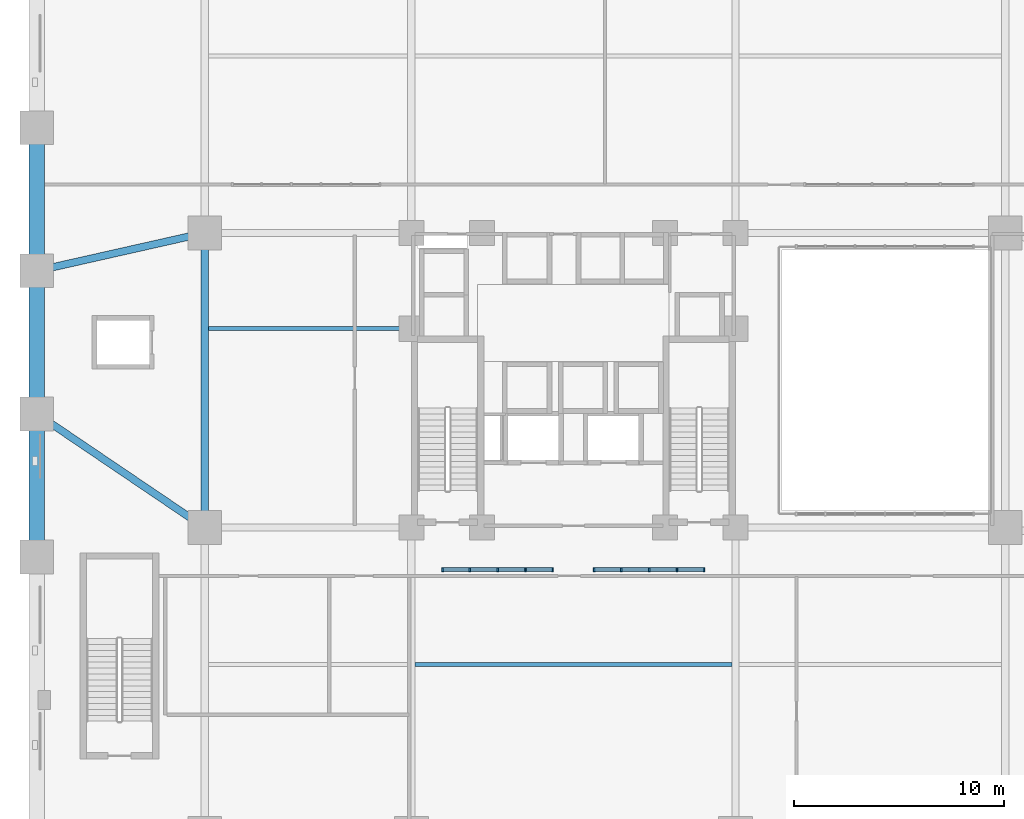
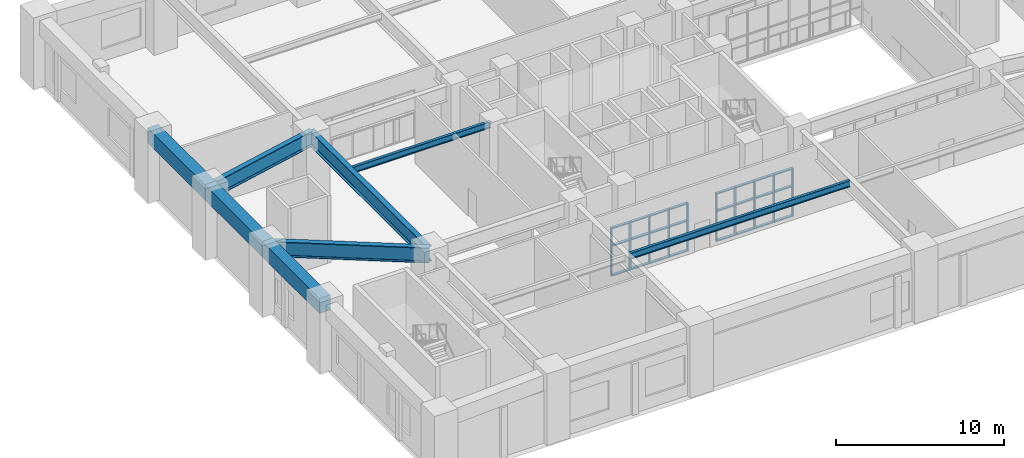
# One storey, part 2 of 14: 34 members, 8 beams, 2 elements without a shape of their own.
"""IFC4 building model written with IfcOpenShell, lengths in metres."""

from ifc_helpers import new_model, si_unit, derived_unit, direction, frame, origin, origin_2d, place, context, subcontext, project, spatial, rectangle, i_section, extrude, material, material_profile, profile_set, type_object, element, aggregate, save


model = new_model("IFC4")

# Units and contexts
model_context = context("Model", 3, precision=1e-05, world=origin(), true_north=direction((0.0, 1.0)))
body_context = subcontext(model_context, "Body", "Model", "MODEL_VIEW")
ifc_project = project(units=[si_unit("LENGTHUNIT", "METRE"), si_unit("AREAUNIT", "SQUARE_METRE"), si_unit("VOLUMEUNIT", "CUBIC_METRE"), si_unit("PLANEANGLEUNIT", "RADIAN"), si_unit("MASSUNIT", "GRAM", prefix="KILO"), derived_unit("THERMALTRANSMITTANCEUNIT", [(si_unit("MASSUNIT", "GRAM", prefix="KILO"), 1), (si_unit("TIMEUNIT", "SECOND"), -3), (si_unit("THERMODYNAMICTEMPERATUREUNIT", "KELVIN"), -1)])], contexts=[model_context])

# Site, building, storey
site_placement = place(None, origin())
site = spatial("IfcSite", under=ifc_project, at=site_placement, CompositionType="ELEMENT")
building_placement = place(site_placement, origin())
building = spatial("IfcBuilding", under=site, at=building_placement, Name="Korrvale Station Residences", CompositionType="ELEMENT")
storey_placement = place(building_placement, frame((0.0, 0.0, 6.0)))
storey = spatial("IfcBuildingStorey", under=building, at=storey_placement, Name="L01", CompositionType="ELEMENT", Elevation=6.0)

# Beams
ifc_material_1 = material(Name="Steel S355", Category="steel")
ifc_material_profile_1 = material_profile(ifc_material_1, i_section(OverallWidth=0.35009765625, OverallDepth=1.10009765625, WebThickness=0.01611328125, FlangeThickness=0.034912109375, FilletRadius=0.01806640625, at=origin_2d()), Name="WWF1100x351")
ifc_profile_set_1 = profile_set([ifc_material_profile_1], Name="Steel S355")
beam_type_1 = type_object("IfcBeamType", Name="BM-BM-WWF1100x351-S355", PredefinedType="BEAM", material=ifc_profile_set_1)
beam_1_placement = place(storey_placement, frame((7.97998046875, 15.0, 4.330078125), z_axis=(0.0, 1.0, 0.0), x_axis=(-1.0, 0.0, 0.0)))
element("IfcBeam", 1, at=beam_1_placement, inside=storey, type_object=beam_type_1, Name="L01 Station Primary Girder 02", PredefinedType="BEAM", context=body_context, shape_type="SweptSolid", body=[
    extrude(i_section(OverallWidth=0.35009765625, OverallDepth=1.10009765625, WebThickness=0.01611328125, FlangeThickness=0.034912109375, FilletRadius=0.01806640625, at=origin_2d()), origin(), (0.0, 0.0, 1.0), 14.0),
])
beam_2_placement = place(storey_placement, frame((0.0, 20.39990234375, 4.330078125), z_axis=(0.828202472812, -0.560428999989, 0.0), x_axis=(0.560428999989, 0.828202472812, 0.0)))
element("IfcBeam", 2, at=beam_2_placement, inside=storey, type_object=beam_type_1, Name="L01 Station Primary Girder 11", PredefinedType="BEAM", context=body_context, shape_type="SweptSolid", body=[
    extrude(i_section(OverallWidth=0.35009765625, OverallDepth=1.10009765625, WebThickness=0.01611328125, FlangeThickness=0.034912109375, FilletRadius=0.01806640625, at=origin_2d()), origin(), (0.0, 0.0, 1.0), 9.63525390625),
])
beam_3_placement = place(storey_placement, frame((0.0, 27.199951171875, 4.330078125), z_axis=(0.975490412643, 0.220041938824, 0.0), x_axis=(-0.220041938824, 0.975490412643, 0.0)))
element("IfcBeam", 3, at=beam_3_placement, inside=storey, type_object=beam_type_1, Name="L01 Station Primary Girder 12", PredefinedType="BEAM", context=body_context, shape_type="SweptSolid", body=[
    extrude(i_section(OverallWidth=0.35009765625, OverallDepth=1.10009765625, WebThickness=0.01611328125, FlangeThickness=0.034912109375, FilletRadius=0.01806640625, at=origin_2d()), origin(), (0.0, 0.0, 1.0), 8.180419921875),
])
ifc_material_profile_2 = material_profile(ifc_material_1, i_section(OverallWidth=0.18994140625, OverallDepth=0.45703125, WebThickness=0.009033203125, FlangeThickness=0.014404296875, FilletRadius=0.01611328125, at=origin_2d()), Name="W460x74")
ifc_profile_set_2 = profile_set([ifc_material_profile_2], Name="Steel S355")
beam_type_2 = type_object("IfcBeamType", Name="BM-JST-W460x74-S355", PredefinedType="JOIST", material=ifc_profile_set_2)
beam_4_placement = place(storey_placement, frame((8.155029296875, 24.449951171875, 4.651611328125), z_axis=(1.0, 0.0, 0.0), x_axis=(0.0, 1.0, 0.0)))
element("IfcBeam", 4, at=beam_4_placement, inside=storey, type_object=beam_type_2, Name="L01 Station Floor Joist 04", PredefinedType="JOIST", context=body_context, shape_type="SweptSolid", body=[
    extrude(i_section(OverallWidth=0.18994140625, OverallDepth=0.45703125, WebThickness=0.009033203125, FlangeThickness=0.014404296875, FilletRadius=0.01611328125, at=origin_2d()), origin(), (0.0, 0.0, 1.0), 9.469970703125),
])
beam_5_placement = place(storey_placement, frame((17.97509765625, 8.5, 4.651611328125), z_axis=(1.0, 0.0, 0.0), x_axis=(0.0, 1.0, 0.0)))
element("IfcBeam", 5, at=beam_5_placement, inside=storey, type_object=beam_type_2, Name="L01 Station Floor Joist 06", PredefinedType="JOIST", context=body_context, shape_type="SweptSolid", body=[
    extrude(i_section(OverallWidth=0.18994140625, OverallDepth=0.45703125, WebThickness=0.009033203125, FlangeThickness=0.014404296875, FilletRadius=0.01611328125, at=origin_2d()), origin(), (0.0, 0.0, 1.0), 15.0498046875),
])
ifc_material_2 = material(Name="Concrete C70/85", Category="concrete")
ifc_material_profile_3 = material_profile(ifc_material_2, rectangle(XDim=0.75, YDim=1.10009765625, at=origin_2d()), Name="RCB750x1100")
ifc_profile_set_3 = profile_set([ifc_material_profile_3], Name="Concrete C70/85")
beam_type_3 = type_object("IfcBeamType", Name="BM-SPB-RCB750x1100-C7085", PredefinedType="SPANDREL", material=ifc_profile_set_3)
beam_6_placement = place(storey_placement, frame((0.0, 13.60009765625, 4.330078125), z_axis=(0.0, 1.0, 0.0), x_axis=(-1.0, 0.0, 0.0)))
element("IfcBeam", 6, at=beam_6_placement, inside=storey, type_object=beam_type_3, Name="L01 Station Spandrel Beam 02", PredefinedType="SPANDREL", context=body_context, shape_type="SweptSolid", body=[
    extrude(rectangle(XDim=0.75, YDim=1.10009765625, at=origin_2d()), origin(), (0.0, 0.0, 1.0), 6.7998046875),
])
for number, where, z_axis, x_axis, name in (
    (7, (0.0, 20.39990234375, 4.330078125), (0.0, 1.0, 0.0), (-1.0, 0.0, 0.0), "L01 Station Spandrel Beam 03"),
    (8, (0.0, 27.199951171875, 4.330078125), (0.0, 1.0, 0.0), (-1.0, 0.0, 0.0), "L01 Station Spandrel Beam 04"),
):
    element("IfcBeam", number, at=place(storey_placement, frame(where, z_axis=z_axis, x_axis=x_axis)), inside=storey, type_object=beam_type_3, Name=name, PredefinedType="SPANDREL", context=body_context, shape_type="SweptSolid", body=[
        extrude(rectangle(XDim=0.75, YDim=1.10009765625, at=origin_2d()), origin(), (0.0, 0.0, 1.0), 6.800048828125),
    ])

# Curtain wall, members
ifc_material_3 = material(Name="Unitised thermally broken aluminium curtain wall with triple low-e IGU", Category="aluminium")
curtain_wall_type = type_object("IfcCurtainWallType", Name="CW-STN-ENT", PredefinedType="NOTDEFINED", material=ifc_material_3)
curtain_wall_1_placement = place(storey_placement, origin())
curtain_wall_1 = element("IfcCurtainWall", 9, at=curtain_wall_1_placement, inside=storey, type_object=curtain_wall_type, Name="L01 Curtain Wall CW1-RUN-5", PredefinedType="NOTDEFINED")
ifc_material_4 = material(Name="Extruded thermally broken aluminium mullion", Category="aluminium")
member_type_1 = type_object("IfcMemberType", Name="CW-STN-ENT-M", PredefinedType="MULLION", material=ifc_material_4)
member_1_placement = place(storey_placement, frame((19.29248046875, 13.0, 0.0), z_axis=(0.0, 0.0, 1.0), x_axis=(1.0, 0.0, 0.0)))
member_1 = element("IfcMember", 10, at=member_1_placement, type_object=member_type_1, Name="CW-STN-ENT Mullion 1", PredefinedType="MULLION", context=body_context, shape_type="SweptSolid", body=[
    extrude(rectangle(XDim=0.0849609375, YDim=0.179931640625, at=origin_2d()), origin(), (0.0, 0.0, 1.0), 3.5),
])
member_2_placement = place(storey_placement, frame((20.574951171875, 13.0, 0.0), z_axis=(0.0, 0.0, 1.0), x_axis=(1.0, 0.0, 0.0)))
member_2 = element("IfcMember", 11, at=member_2_placement, type_object=member_type_1, Name="CW-STN-ENT Mullion 2", PredefinedType="MULLION", context=body_context, shape_type="SweptSolid", body=[
    extrude(rectangle(XDim=0.0849609375, YDim=0.179931640625, at=origin_2d()), origin(), (0.0, 0.0, 1.0), 3.5),
])
member_3_placement = place(storey_placement, frame((21.89990234375, 13.0, 0.0), z_axis=(0.0, 0.0, 1.0), x_axis=(1.0, 0.0, 0.0)))
member_3 = element("IfcMember", 12, at=member_3_placement, type_object=member_type_1, Name="CW-STN-ENT Mullion 3", PredefinedType="MULLION", context=body_context, shape_type="SweptSolid", body=[
    extrude(rectangle(XDim=0.0849609375, YDim=0.179931640625, at=origin_2d()), origin(), (0.0, 0.0, 1.0), 3.5),
])
member_4_placement = place(storey_placement, frame((23.22509765625, 13.0, 0.0), z_axis=(0.0, 0.0, 1.0), x_axis=(1.0, 0.0, 0.0)))
member_4 = element("IfcMember", 13, at=member_4_placement, type_object=member_type_1, Name="CW-STN-ENT Mullion 4", PredefinedType="MULLION", context=body_context, shape_type="SweptSolid", body=[
    extrude(rectangle(XDim=0.0849609375, YDim=0.179931640625, at=origin_2d()), origin(), (0.0, 0.0, 1.0), 3.5),
])
member_5_placement = place(storey_placement, frame((24.507568359375, 13.0, 0.0), z_axis=(0.0, 0.0, 1.0), x_axis=(1.0, 0.0, 0.0)))
member_5 = element("IfcMember", 14, at=member_5_placement, type_object=member_type_1, Name="CW-STN-ENT Mullion 5", PredefinedType="MULLION", context=body_context, shape_type="SweptSolid", body=[
    extrude(rectangle(XDim=0.0849609375, YDim=0.179931640625, at=origin_2d()), origin(), (0.0, 0.0, 1.0), 3.5),
])

curtain_wall_2_placement = place(storey_placement, origin())
curtain_wall_2 = element("IfcCurtainWall", 15, at=curtain_wall_2_placement, inside=storey, type_object=curtain_wall_type, Name="L01 Curtain Wall CW1-RUN-6", PredefinedType="NOTDEFINED")
member_6_placement = place(storey_placement, frame((26.492431640625, 13.0, 0.0), z_axis=(0.0, 0.0, 1.0), x_axis=(1.0, 0.0, 0.0)))
member_6 = element("IfcMember", 16, at=member_6_placement, type_object=member_type_1, Name="CW-STN-ENT Mullion 1", PredefinedType="MULLION", context=body_context, shape_type="SweptSolid", body=[
    extrude(rectangle(XDim=0.0849609375, YDim=0.179931640625, at=origin_2d()), origin(), (0.0, 0.0, 1.0), 3.5),
])
member_7_placement = place(storey_placement, frame((27.77490234375, 13.0, 0.0), z_axis=(0.0, 0.0, 1.0), x_axis=(1.0, 0.0, 0.0)))
member_7 = element("IfcMember", 17, at=member_7_placement, type_object=member_type_1, Name="CW-STN-ENT Mullion 2", PredefinedType="MULLION", context=body_context, shape_type="SweptSolid", body=[
    extrude(rectangle(XDim=0.0849609375, YDim=0.179931640625, at=origin_2d()), origin(), (0.0, 0.0, 1.0), 3.5),
])
member_8_placement = place(storey_placement, frame((29.10009765625, 13.0, 0.0), z_axis=(0.0, 0.0, 1.0), x_axis=(1.0, 0.0, 0.0)))
member_8 = element("IfcMember", 18, at=member_8_placement, type_object=member_type_1, Name="CW-STN-ENT Mullion 3", PredefinedType="MULLION", context=body_context, shape_type="SweptSolid", body=[
    extrude(rectangle(XDim=0.0849609375, YDim=0.179931640625, at=origin_2d()), origin(), (0.0, 0.0, 1.0), 3.5),
])
member_9_placement = place(storey_placement, frame((30.425048828125, 13.0, 0.0), z_axis=(0.0, 0.0, 1.0), x_axis=(1.0, 0.0, 0.0)))
member_9 = element("IfcMember", 19, at=member_9_placement, type_object=member_type_1, Name="CW-STN-ENT Mullion 4", PredefinedType="MULLION", context=body_context, shape_type="SweptSolid", body=[
    extrude(rectangle(XDim=0.0849609375, YDim=0.179931640625, at=origin_2d()), origin(), (0.0, 0.0, 1.0), 3.5),
])
member_10_placement = place(storey_placement, frame((31.70751953125, 13.0, 0.0), z_axis=(0.0, 0.0, 1.0), x_axis=(1.0, 0.0, 0.0)))
member_10 = element("IfcMember", 20, at=member_10_placement, type_object=member_type_1, Name="CW-STN-ENT Mullion 5", PredefinedType="MULLION", context=body_context, shape_type="SweptSolid", body=[
    extrude(rectangle(XDim=0.0849609375, YDim=0.179931640625, at=origin_2d()), origin(), (0.0, 0.0, 1.0), 3.5),
])

# Member
ifc_material_5 = material(Name="Extruded thermally broken aluminium transom", Category="aluminium")
member_type_2 = type_object("IfcMemberType", Name="CW-STN-ENT-T", PredefinedType="USERDEFINED", material=ifc_material_5)
member_11_placement = place(storey_placement, frame((19.91259765625, 13.0, 0.0), z_axis=(0.0, 0.0, 1.0), x_axis=(1.0, 0.0, 0.0)))
member_11 = element("IfcMember", 21, at=member_11_placement, type_object=member_type_2, Name="CW-STN-ENT Transom 1-1", ObjectType="TRANSOM", PredefinedType="USERDEFINED", context=body_context, shape_type="SweptSolid", body=[
    extrude(rectangle(XDim=1.239990234375, YDim=0.179931640625, at=origin_2d()), origin(), (0.0, 0.0, 1.0), 0.0849609375),
])

member_12_placement = place(storey_placement, frame((19.91259765625, 13.0, 2.157470703125), z_axis=(0.0, 0.0, 1.0), x_axis=(1.0, 0.0, 0.0)))
member_12 = element("IfcMember", 22, at=member_12_placement, type_object=member_type_2, Name="CW-STN-ENT Transom 1-2", ObjectType="TRANSOM", PredefinedType="USERDEFINED", context=body_context, shape_type="SweptSolid", body=[
    extrude(rectangle(XDim=1.239990234375, YDim=0.179931640625, at=origin_2d()), origin(), (0.0, 0.0, 1.0), 0.0849609375),
])

member_13_placement = place(storey_placement, frame((19.91259765625, 13.0, 3.4150390625), z_axis=(0.0, 0.0, 1.0), x_axis=(1.0, 0.0, 0.0)))
member_13 = element("IfcMember", 23, at=member_13_placement, type_object=member_type_2, Name="CW-STN-ENT Transom 1-3", ObjectType="TRANSOM", PredefinedType="USERDEFINED", context=body_context, shape_type="SweptSolid", body=[
    extrude(rectangle(XDim=1.239990234375, YDim=0.179931640625, at=origin_2d()), origin(), (0.0, 0.0, 1.0), 0.0849609375),
])

member_14_placement = place(storey_placement, frame((21.237548828125, 13.0, 0.0), z_axis=(0.0, 0.0, 1.0), x_axis=(1.0, 0.0, 0.0)))
member_14 = element("IfcMember", 24, at=member_14_placement, type_object=member_type_2, Name="CW-STN-ENT Transom 2-1", ObjectType="TRANSOM", PredefinedType="USERDEFINED", context=body_context, shape_type="SweptSolid", body=[
    extrude(rectangle(XDim=1.239990234375, YDim=0.179931640625, at=origin_2d()), origin(), (0.0, 0.0, 1.0), 0.0849609375),
])

member_15_placement = place(storey_placement, frame((21.237548828125, 13.0, 2.157470703125), z_axis=(0.0, 0.0, 1.0), x_axis=(1.0, 0.0, 0.0)))
member_15 = element("IfcMember", 25, at=member_15_placement, type_object=member_type_2, Name="CW-STN-ENT Transom 2-2", ObjectType="TRANSOM", PredefinedType="USERDEFINED", context=body_context, shape_type="SweptSolid", body=[
    extrude(rectangle(XDim=1.239990234375, YDim=0.179931640625, at=origin_2d()), origin(), (0.0, 0.0, 1.0), 0.0849609375),
])

member_16_placement = place(storey_placement, frame((21.237548828125, 13.0, 3.4150390625), z_axis=(0.0, 0.0, 1.0), x_axis=(1.0, 0.0, 0.0)))
member_16 = element("IfcMember", 26, at=member_16_placement, type_object=member_type_2, Name="CW-STN-ENT Transom 2-3", ObjectType="TRANSOM", PredefinedType="USERDEFINED", context=body_context, shape_type="SweptSolid", body=[
    extrude(rectangle(XDim=1.239990234375, YDim=0.179931640625, at=origin_2d()), origin(), (0.0, 0.0, 1.0), 0.0849609375),
])

member_17_placement = place(storey_placement, frame((22.5625, 13.0, 0.0), z_axis=(0.0, 0.0, 1.0), x_axis=(1.0, 0.0, 0.0)))
member_17 = element("IfcMember", 27, at=member_17_placement, type_object=member_type_2, Name="CW-STN-ENT Transom 3-1", ObjectType="TRANSOM", PredefinedType="USERDEFINED", context=body_context, shape_type="SweptSolid", body=[
    extrude(rectangle(XDim=1.239990234375, YDim=0.179931640625, at=origin_2d()), origin(), (0.0, 0.0, 1.0), 0.0849609375),
])

member_18_placement = place(storey_placement, frame((22.5625, 13.0, 2.157470703125), z_axis=(0.0, 0.0, 1.0), x_axis=(1.0, 0.0, 0.0)))
member_18 = element("IfcMember", 28, at=member_18_placement, type_object=member_type_2, Name="CW-STN-ENT Transom 3-2", ObjectType="TRANSOM", PredefinedType="USERDEFINED", context=body_context, shape_type="SweptSolid", body=[
    extrude(rectangle(XDim=1.239990234375, YDim=0.179931640625, at=origin_2d()), origin(), (0.0, 0.0, 1.0), 0.0849609375),
])

member_19_placement = place(storey_placement, frame((22.5625, 13.0, 3.4150390625), z_axis=(0.0, 0.0, 1.0), x_axis=(1.0, 0.0, 0.0)))
member_19 = element("IfcMember", 29, at=member_19_placement, type_object=member_type_2, Name="CW-STN-ENT Transom 3-3", ObjectType="TRANSOM", PredefinedType="USERDEFINED", context=body_context, shape_type="SweptSolid", body=[
    extrude(rectangle(XDim=1.239990234375, YDim=0.179931640625, at=origin_2d()), origin(), (0.0, 0.0, 1.0), 0.0849609375),
])

member_20_placement = place(storey_placement, frame((23.887451171875, 13.0, 0.0), z_axis=(0.0, 0.0, 1.0), x_axis=(1.0, 0.0, 0.0)))
member_20 = element("IfcMember", 30, at=member_20_placement, type_object=member_type_2, Name="CW-STN-ENT Transom 4-1", ObjectType="TRANSOM", PredefinedType="USERDEFINED", context=body_context, shape_type="SweptSolid", body=[
    extrude(rectangle(XDim=1.239990234375, YDim=0.179931640625, at=origin_2d()), origin(), (0.0, 0.0, 1.0), 0.0849609375),
])

member_21_placement = place(storey_placement, frame((23.887451171875, 13.0, 2.157470703125), z_axis=(0.0, 0.0, 1.0), x_axis=(1.0, 0.0, 0.0)))
member_21 = element("IfcMember", 31, at=member_21_placement, type_object=member_type_2, Name="CW-STN-ENT Transom 4-2", ObjectType="TRANSOM", PredefinedType="USERDEFINED", context=body_context, shape_type="SweptSolid", body=[
    extrude(rectangle(XDim=1.239990234375, YDim=0.179931640625, at=origin_2d()), origin(), (0.0, 0.0, 1.0), 0.0849609375),
])

member_22_placement = place(storey_placement, frame((23.887451171875, 13.0, 3.4150390625), z_axis=(0.0, 0.0, 1.0), x_axis=(1.0, 0.0, 0.0)))
member_22 = element("IfcMember", 32, at=member_22_placement, type_object=member_type_2, Name="CW-STN-ENT Transom 4-3", ObjectType="TRANSOM", PredefinedType="USERDEFINED", context=body_context, shape_type="SweptSolid", body=[
    extrude(rectangle(XDim=1.239990234375, YDim=0.179931640625, at=origin_2d()), origin(), (0.0, 0.0, 1.0), 0.0849609375),
])

aggregate(curtain_wall_1, [member_1, member_2, member_3, member_4, member_5, member_11, member_12, member_13, member_14, member_15, member_16, member_17, member_18, member_19, member_20, member_21, member_22])

member_23_placement = place(storey_placement, frame((27.112548828125, 13.0, 0.0), z_axis=(0.0, 0.0, 1.0), x_axis=(1.0, 0.0, 0.0)))
member_23 = element("IfcMember", 33, at=member_23_placement, type_object=member_type_2, Name="CW-STN-ENT Transom 1-1", ObjectType="TRANSOM", PredefinedType="USERDEFINED", context=body_context, shape_type="SweptSolid", body=[
    extrude(rectangle(XDim=1.239990234375, YDim=0.179931640625, at=origin_2d()), origin(), (0.0, 0.0, 1.0), 0.0849609375),
])

member_24_placement = place(storey_placement, frame((27.112548828125, 13.0, 2.157470703125), z_axis=(0.0, 0.0, 1.0), x_axis=(1.0, 0.0, 0.0)))
member_24 = element("IfcMember", 34, at=member_24_placement, type_object=member_type_2, Name="CW-STN-ENT Transom 1-2", ObjectType="TRANSOM", PredefinedType="USERDEFINED", context=body_context, shape_type="SweptSolid", body=[
    extrude(rectangle(XDim=1.239990234375, YDim=0.179931640625, at=origin_2d()), origin(), (0.0, 0.0, 1.0), 0.0849609375),
])

member_25_placement = place(storey_placement, frame((27.112548828125, 13.0, 3.4150390625), z_axis=(0.0, 0.0, 1.0), x_axis=(1.0, 0.0, 0.0)))
member_25 = element("IfcMember", 35, at=member_25_placement, type_object=member_type_2, Name="CW-STN-ENT Transom 1-3", ObjectType="TRANSOM", PredefinedType="USERDEFINED", context=body_context, shape_type="SweptSolid", body=[
    extrude(rectangle(XDim=1.239990234375, YDim=0.179931640625, at=origin_2d()), origin(), (0.0, 0.0, 1.0), 0.0849609375),
])

member_26_placement = place(storey_placement, frame((28.4375, 13.0, 0.0), z_axis=(0.0, 0.0, 1.0), x_axis=(1.0, 0.0, 0.0)))
member_26 = element("IfcMember", 36, at=member_26_placement, type_object=member_type_2, Name="CW-STN-ENT Transom 2-1", ObjectType="TRANSOM", PredefinedType="USERDEFINED", context=body_context, shape_type="SweptSolid", body=[
    extrude(rectangle(XDim=1.239990234375, YDim=0.179931640625, at=origin_2d()), origin(), (0.0, 0.0, 1.0), 0.0849609375),
])

member_27_placement = place(storey_placement, frame((28.4375, 13.0, 2.157470703125), z_axis=(0.0, 0.0, 1.0), x_axis=(1.0, 0.0, 0.0)))
member_27 = element("IfcMember", 37, at=member_27_placement, type_object=member_type_2, Name="CW-STN-ENT Transom 2-2", ObjectType="TRANSOM", PredefinedType="USERDEFINED", context=body_context, shape_type="SweptSolid", body=[
    extrude(rectangle(XDim=1.239990234375, YDim=0.179931640625, at=origin_2d()), origin(), (0.0, 0.0, 1.0), 0.0849609375),
])

member_28_placement = place(storey_placement, frame((28.4375, 13.0, 3.4150390625), z_axis=(0.0, 0.0, 1.0), x_axis=(1.0, 0.0, 0.0)))
member_28 = element("IfcMember", 38, at=member_28_placement, type_object=member_type_2, Name="CW-STN-ENT Transom 2-3", ObjectType="TRANSOM", PredefinedType="USERDEFINED", context=body_context, shape_type="SweptSolid", body=[
    extrude(rectangle(XDim=1.239990234375, YDim=0.179931640625, at=origin_2d()), origin(), (0.0, 0.0, 1.0), 0.0849609375),
])

member_29_placement = place(storey_placement, frame((29.762451171875, 13.0, 0.0), z_axis=(0.0, 0.0, 1.0), x_axis=(1.0, 0.0, 0.0)))
member_29 = element("IfcMember", 39, at=member_29_placement, type_object=member_type_2, Name="CW-STN-ENT Transom 3-1", ObjectType="TRANSOM", PredefinedType="USERDEFINED", context=body_context, shape_type="SweptSolid", body=[
    extrude(rectangle(XDim=1.239990234375, YDim=0.179931640625, at=origin_2d()), origin(), (0.0, 0.0, 1.0), 0.0849609375),
])

member_30_placement = place(storey_placement, frame((29.762451171875, 13.0, 2.157470703125), z_axis=(0.0, 0.0, 1.0), x_axis=(1.0, 0.0, 0.0)))
member_30 = element("IfcMember", 40, at=member_30_placement, type_object=member_type_2, Name="CW-STN-ENT Transom 3-2", ObjectType="TRANSOM", PredefinedType="USERDEFINED", context=body_context, shape_type="SweptSolid", body=[
    extrude(rectangle(XDim=1.239990234375, YDim=0.179931640625, at=origin_2d()), origin(), (0.0, 0.0, 1.0), 0.0849609375),
])

member_31_placement = place(storey_placement, frame((29.762451171875, 13.0, 3.4150390625), z_axis=(0.0, 0.0, 1.0), x_axis=(1.0, 0.0, 0.0)))
member_31 = element("IfcMember", 41, at=member_31_placement, type_object=member_type_2, Name="CW-STN-ENT Transom 3-3", ObjectType="TRANSOM", PredefinedType="USERDEFINED", context=body_context, shape_type="SweptSolid", body=[
    extrude(rectangle(XDim=1.239990234375, YDim=0.179931640625, at=origin_2d()), origin(), (0.0, 0.0, 1.0), 0.0849609375),
])

member_32_placement = place(storey_placement, frame((31.08740234375, 13.0, 0.0), z_axis=(0.0, 0.0, 1.0), x_axis=(1.0, 0.0, 0.0)))
member_32 = element("IfcMember", 42, at=member_32_placement, type_object=member_type_2, Name="CW-STN-ENT Transom 4-1", ObjectType="TRANSOM", PredefinedType="USERDEFINED", context=body_context, shape_type="SweptSolid", body=[
    extrude(rectangle(XDim=1.239990234375, YDim=0.179931640625, at=origin_2d()), origin(), (0.0, 0.0, 1.0), 0.0849609375),
])

member_33_placement = place(storey_placement, frame((31.08740234375, 13.0, 2.157470703125), z_axis=(0.0, 0.0, 1.0), x_axis=(1.0, 0.0, 0.0)))
member_33 = element("IfcMember", 43, at=member_33_placement, type_object=member_type_2, Name="CW-STN-ENT Transom 4-2", ObjectType="TRANSOM", PredefinedType="USERDEFINED", context=body_context, shape_type="SweptSolid", body=[
    extrude(rectangle(XDim=1.239990234375, YDim=0.179931640625, at=origin_2d()), origin(), (0.0, 0.0, 1.0), 0.0849609375),
])

member_34_placement = place(storey_placement, frame((31.08740234375, 13.0, 3.4150390625), z_axis=(0.0, 0.0, 1.0), x_axis=(1.0, 0.0, 0.0)))
member_34 = element("IfcMember", 44, at=member_34_placement, type_object=member_type_2, Name="CW-STN-ENT Transom 4-3", ObjectType="TRANSOM", PredefinedType="USERDEFINED", context=body_context, shape_type="SweptSolid", body=[
    extrude(rectangle(XDim=1.239990234375, YDim=0.179931640625, at=origin_2d()), origin(), (0.0, 0.0, 1.0), 0.0849609375),
])

aggregate(curtain_wall_2, [member_6, member_7, member_8, member_9, member_10, member_23, member_24, member_25, member_26, member_27, member_28, member_29, member_30, member_31, member_32, member_33, member_34])

save(model, "model.ifc")
